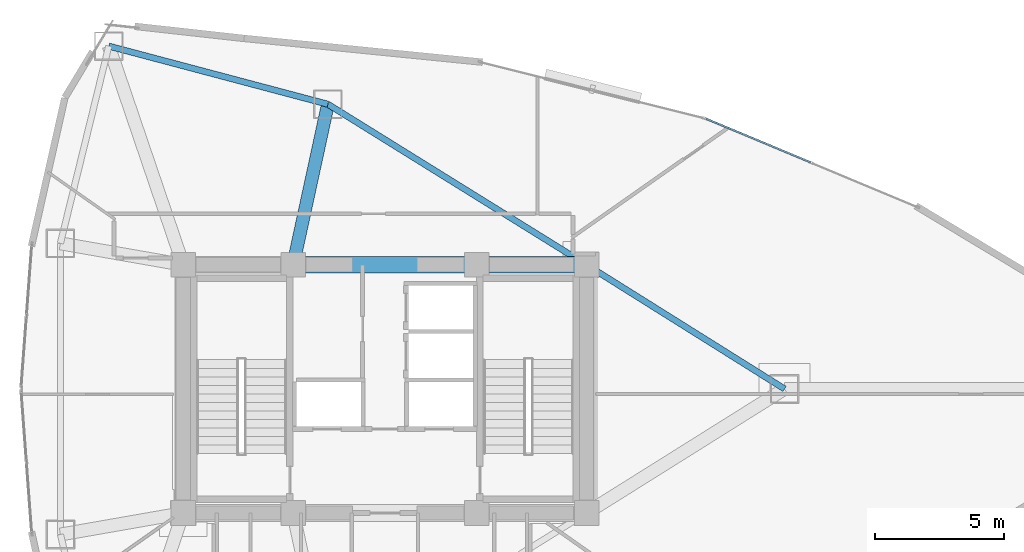
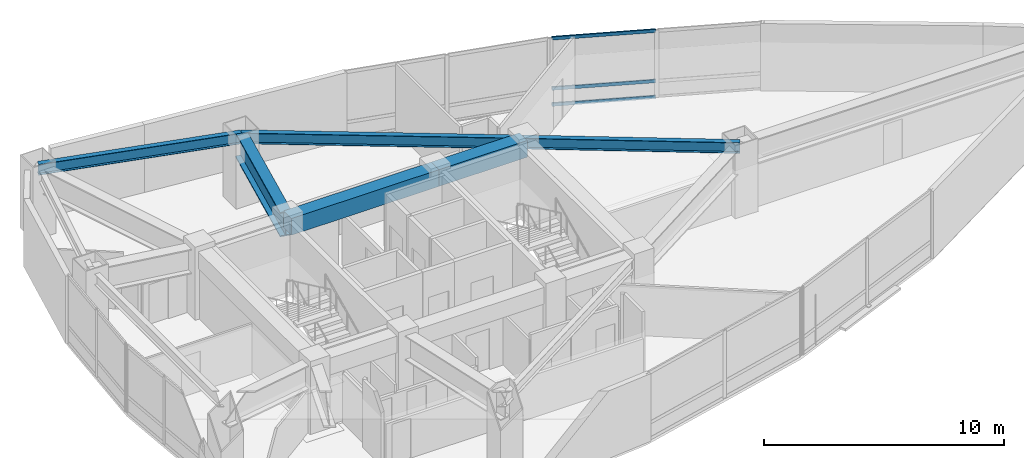
# One storey, part 8 of 18: 6 beams, 3 members, 1 element without a shape of its own.
"""IFC4 building model written with IfcOpenShell, lengths in metres."""

import ifcopenshell
import ifcopenshell.guid

model = None  # the IFC model being written
_history = None  # IfcOwnerHistory: only IFC2X3 demands one
_inside = {}  # id of a spatial element -> (the spatial element, [elements in it])
_under = {}  # id of a project, library or spatial element -> (it, [spatial elements below it])
_declared = {}  # id of a project -> (the project, [libraries it declares])
_typed = {}  # id of a type object -> (the type object, [elements of that type])
_made_of = {}  # id of a material, layer set ... -> (it, [elements and type objects made of it])


def new_model(schema):
    """Start an empty IFC model of exactly this schema.

    Asked for "IFC4X3", IfcOpenShell would pick the latest addendum, in which some entities
    have other attributes; the version numbers below select the first issue.
    IFC2X3 requires an IfcOwnerHistory on every rooted entity: one is made here for all.
    """
    global model, _history
    if schema == "IFC4X3":
        model = ifcopenshell.file(schema_version=(4, 3, 0, 0))
    else:
        model = ifcopenshell.file(schema=schema)
    _inside.clear()
    _under.clear()
    _declared.clear()
    _typed.clear()
    _made_of.clear()
    _history = None
    if model.schema == "IFC2X3":
        org = make("IfcOrganization", Name="unknown")
        user = make(
            "IfcPersonAndOrganization",
            ThePerson=make("IfcPerson", FamilyName="unknown"),
            TheOrganization=org,
        )
        app = make(
            "IfcApplication",
            ApplicationDeveloper=org,
            Version="unknown",
            ApplicationFullName="unknown",
            ApplicationIdentifier="unknown",
        )
        _history = make(
            "IfcOwnerHistory",
            OwningUser=user,
            OwningApplication=app,
            ChangeAction="ADDED",
            CreationDate=0,
        )
    return model


def make(cls, **values):
    """One entity of the class cls with the attributes given. An attribute that is None is left unset."""
    return model.create_entity(
        cls, **{name: value for name, value in values.items() if value is not None}
    )


def rooted(cls, **values):
    """An entity with a GlobalId (a new one), such as an element, a storey or a relation."""
    return make(cls, GlobalId=ifcopenshell.guid.new(), OwnerHistory=_history, **values)


def si_unit(unit_type, name, prefix=None):
    """IfcSIUnit, for example si_unit("LENGTHUNIT", "METRE", prefix="MILLI")."""
    return make("IfcSIUnit", UnitType=unit_type, Prefix=prefix, Name=name)


def assignment(units):
    """IfcUnitAssignment: the units of a project."""
    return None if units is None else make("IfcUnitAssignment", Units=units)


def point(xyz):
    """IfcCartesianPoint."""
    return None if xyz is None else make("IfcCartesianPoint", Coordinates=xyz)


def direction(xyz):
    """IfcDirection."""
    return None if xyz is None else make("IfcDirection", DirectionRatios=xyz)


def frame(location, z_axis=None, x_axis=None):
    """IfcAxis2Placement3D, a coordinate frame: its origin and axes. An axis left out is left unset."""
    return make(
        "IfcAxis2Placement3D",
        Location=point(location),
        Axis=direction(z_axis),
        RefDirection=direction(x_axis),
    )


def frame_2d(location, x_axis=None):
    """IfcAxis2Placement2D, a coordinate frame in the plane: its origin and x axis."""
    return make(
        "IfcAxis2Placement2D", Location=point(location), RefDirection=direction(x_axis)
    )


def origin():
    """The frame at (0, 0, 0) with its axes left unset."""
    return frame((0.0, 0.0, 0.0))


def origin_2d():
    """The frame at (0, 0) in the plane with its x axis left unset."""
    return frame_2d((0.0, 0.0))


def place(relative_to, where):
    """IfcLocalPlacement: puts the frame where relative to a parent placement (None: the world)."""
    return make(
        "IfcLocalPlacement", PlacementRelTo=relative_to, RelativePlacement=where
    )


def context(
    kind, dimensions, precision=None, world=None, true_north=None, identifier=None
):
    """IfcGeometricRepresentationContext, for example the 3D "Model" context."""
    return make(
        "IfcGeometricRepresentationContext",
        ContextIdentifier=identifier,
        ContextType=kind,
        CoordinateSpaceDimension=dimensions,
        Precision=precision,
        WorldCoordinateSystem=world,
        TrueNorth=true_north,
    )


def subcontext(parent, identifier, kind, view, scale=None):
    """IfcGeometricRepresentationSubContext, for example "Body" below "Model"."""
    return make(
        "IfcGeometricRepresentationSubContext",
        ContextIdentifier=identifier,
        ContextType=kind,
        ParentContext=parent,
        TargetScale=scale,
        TargetView=view,
    )


def project(units=None, contexts=None):
    """IfcProject with its units and contexts."""
    return rooted(
        "IfcProject",
        Name="project",
        RepresentationContexts=contexts,
        UnitsInContext=assignment(units),
    )


def spatial(cls, under=None, at=None, **own):
    """A site, building, storey or space (cls), placed at a placement, below another one or the project."""
    s = rooted(cls, ObjectPlacement=at, **own)
    if under is not None:
        _under.setdefault(under.id(), (under, []))[1].append(s)
    return s


def profile(cls, at=None, kind="AREA", **sizes):
    """A parametric profile (cls). Its sizes go by their IFC names, for example OverallWidth=200.0."""
    return make(cls, ProfileType=kind, Position=at, **sizes)


def rectangle(**sizes):
    """IfcRectangleProfileDef."""
    return profile("IfcRectangleProfileDef", **sizes)


def hollow_rectangle(**sizes):
    """IfcRectangleHollowProfileDef."""
    return profile("IfcRectangleHollowProfileDef", **sizes)


def i_section(**sizes):
    """IfcIShapeProfileDef."""
    return profile("IfcIShapeProfileDef", **sizes)


def extrude(swept, where, along, depth):
    """IfcExtrudedAreaSolid: the profile swept, set in the frame where, extruded along a direction by depth."""
    return make(
        "IfcExtrudedAreaSolid",
        SweptArea=swept,
        Position=where,
        ExtrudedDirection=direction(along),
        Depth=depth,
    )


def shape(context_of_items, identifier, shape_type, items):
    """IfcShapeRepresentation: the items that make up one representation, for example the "Body"."""
    return make(
        "IfcShapeRepresentation",
        ContextOfItems=context_of_items,
        RepresentationIdentifier=identifier,
        RepresentationType=shape_type,
        Items=items,
    )


def material(Name=None, Category=None):
    """IfcMaterial."""
    return make("IfcMaterial", Name=Name, Category=Category)


def layer(
    of_material, thickness, ventilated=None, Name=None, Category=None, Priority=None
):
    """IfcMaterialLayer: one layer of a wall or slab, of a material (None: an air gap)."""
    return make(
        "IfcMaterialLayer",
        Material=of_material,
        LayerThickness=thickness,
        IsVentilated=ventilated,
        Name=Name,
        Category=Category,
        Priority=Priority,
    )


def layer_set(layers, Name=None):
    """IfcMaterialLayerSet."""
    return make("IfcMaterialLayerSet", MaterialLayers=layers, LayerSetName=Name)


def material_profile(
    of_material, cross_section, Name=None, Category=None, Priority=None
):
    """IfcMaterialProfile: a cross section and its material."""
    return make(
        "IfcMaterialProfile",
        Name=Name,
        Material=of_material,
        Profile=cross_section,
        Priority=Priority,
        Category=Category,
    )


def profile_set(profiles, Name=None, composite=None):
    """IfcMaterialProfileSet."""
    return make(
        "IfcMaterialProfileSet",
        Name=Name,
        MaterialProfiles=profiles,
        CompositeProfile=composite,
    )


def made_of(thing, what):
    """Note that an element or type object is made of a material, layer set ...; save() writes the relation."""
    if what is not None:
        _made_of.setdefault(what.id(), (what, []))[1].append(thing)
    return thing


def type_object(cls, material=None, **own):
    """A type object (cls), such as IfcWallType, which elements share."""
    return made_of(rooted(cls, **own), material)


def element(
    cls,
    number,
    at=None,
    inside=None,
    cuts=None,
    type_object=None,
    material=None,
    context=None,
    identifier="Body",
    shape_type=None,
    held_by="IfcProductDefinitionShape",
    body=None,
    shapes=None,
    **own,
):
    """One element of the class cls, such as IfcWall. Its Tag is "e" and its number.

    at: its placement. inside: the storey or other place that contains it. cuts: it is an
    opening in that element (IfcRelVoidsElement). A single representation is given by context,
    identifier, shape_type and body (its items); several are given by shapes. held_by: the class
    of the entity that holds the representations. save() writes the other relations.
    """
    e = rooted(cls, Tag="e%d" % number, ObjectPlacement=at, **own)
    if body is not None:
        shapes = [shape(context, identifier, shape_type, body)]
    if shapes is not None:
        e.Representation = make(held_by, Representations=shapes)
    if inside is not None:
        _inside.setdefault(inside.id(), (inside, []))[1].append(e)
    if cuts is not None:
        rooted(
            "IfcRelVoidsElement", RelatingBuildingElement=cuts, RelatedOpeningElement=e
        )
    if type_object is not None:
        _typed.setdefault(type_object.id(), (type_object, []))[1].append(e)
    return made_of(e, material)


def aggregate(whole, parts):
    """IfcRelAggregates: a whole, such as a stair, and the parts it consists of."""
    return rooted("IfcRelAggregates", RelatingObject=whole, RelatedObjects=parts)


def save(model, path):
    """Write the relations noted so far, then the file.

    IfcRelAggregates (storeys below a building ...), IfcRelContainedInSpatialStructure (elements
    in a storey), IfcRelDefinesByType, IfcRelAssociatesMaterial and IfcRelDeclares: one each for
    every whole, place, type object, material and project.
    """
    for whole, parts in _under.values():
        aggregate(whole, parts)
    for where, things in _inside.values():
        rooted(
            "IfcRelContainedInSpatialStructure",
            RelatedElements=things,
            RelatingStructure=where,
        )
    for kind, things in _typed.values():
        rooted("IfcRelDefinesByType", RelatedObjects=things, RelatingType=kind)
    for what, things in _made_of.values():
        rooted("IfcRelAssociatesMaterial", RelatedObjects=things, RelatingMaterial=what)
    for by, libraries in _declared.values():
        rooted("IfcRelDeclares", RelatingContext=by, RelatedDefinitions=libraries)
    model.write(path)


model = new_model("IFC4")

# Units and contexts
model_context = context("Model", 3, precision=1e-05, world=origin(), true_north=direction((0.0, 1.0)))
body_context = subcontext(model_context, "Body", "Model", "MODEL_VIEW")
ifc_project = project(units=[si_unit("LENGTHUNIT", "METRE"), si_unit("AREAUNIT", "SQUARE_METRE"), si_unit("VOLUMEUNIT", "CUBIC_METRE"), si_unit("PLANEANGLEUNIT", "RADIAN"), si_unit("MASSUNIT", "GRAM", prefix="KILO")], contexts=[model_context])

# Site, building, storey
site_placement = place(None, origin())
site = spatial("IfcSite", under=ifc_project, at=site_placement, CompositionType="ELEMENT")
building_placement = place(site_placement, origin())
building = spatial("IfcBuilding", under=site, at=building_placement, Name="Menara Vayukalpa", CompositionType="ELEMENT")
storey_placement = place(building_placement, frame((0.0, 0.0, 169.199951171875)))
storey = spatial("IfcBuildingStorey", under=building, at=storey_placement, Name="L42", CompositionType="ELEMENT", Elevation=169.199951171875)

# Beams
ifc_material_1 = material(Name="Concrete C60/75", Category="concrete")
ifc_material_profile_1 = material_profile(ifc_material_1, rectangle(XDim=0.64990234375, YDim=0.85009765625, at=origin_2d()), Name="RC 650x850")
ifc_profile_set_1 = profile_set([ifc_material_profile_1], Name="Concrete C60/75")
beam_type_1 = type_object("IfcBeamType", Name="BM-CB1", PredefinedType="BEAM", material=ifc_profile_set_1)
beam_1_placement = place(storey_placement, frame((22.050048828125, 26.800048828125, 3.01513671875), z_axis=(1.0, 0.0, 0.0), x_axis=(0.0, 1.0, 0.0)))
element("IfcBeam", 1, at=beam_1_placement, inside=storey, type_object=beam_type_1, Name="L42 Core Tie Beam CBR5", PredefinedType="BEAM", context=body_context, shape_type="SweptSolid", body=[
    extrude(rectangle(XDim=0.64990234375, YDim=0.85009765625, at=origin_2d()), origin(), (0.0, 0.0, 1.0), 7.099853515625),
])
beam_2_placement = place(storey_placement, frame((29.14990234375, 26.800048828125, 3.01513671875), z_axis=(1.0, 0.0, 0.0), x_axis=(0.0, 1.0, 0.0)))
element("IfcBeam", 2, at=beam_2_placement, inside=storey, type_object=beam_type_1, Name="L42 Core Tie Beam CBR6", PredefinedType="BEAM", context=body_context, shape_type="SweptSolid", body=[
    extrude(rectangle(XDim=0.64990234375, YDim=0.85009765625, at=origin_2d()), origin(), (0.0, 0.0, 1.0), 4.25),
])
ifc_material_2 = material(Name="Steel S355", Category="steel")
ifc_material_profile_2 = material_profile(ifc_material_2, i_section(OverallWidth=0.239990234375, OverallDepth=0.550048828125, WebThickness=0.010986328125, FlangeThickness=0.01904296875, at=origin_2d()), Name="WF 550x240x11x19")
ifc_profile_set_2 = profile_set([ifc_material_profile_2], Name="Steel S355")
beam_type_2 = type_object("IfcBeamType", Name="BM-SP2", PredefinedType="SPANDREL", material=ifc_profile_set_2)
beam_3_placement = place(storey_placement, frame((41.05908203125, 22.0, 3.1650390625), z_axis=(-0.847348220701, 0.531037656739, 0.0), x_axis=(-0.531037656739, -0.847348220701, 0.0)))
element("IfcBeam", 3, at=beam_3_placement, inside=storey, type_object=beam_type_2, Name="L42 Perimeter Spandrel Beam SP01", PredefinedType="SPANDREL", context=body_context, shape_type="SweptSolid", body=[
    extrude(i_section(OverallWidth=0.239990234375, OverallDepth=0.550048828125, WebThickness=0.010986328125, FlangeThickness=0.01904296875, at=origin_2d()), origin(), (0.0, 0.0, 1.0), 9.0390625),
])
beam_4_placement = place(storey_placement, frame((33.39990234375, 26.800048828125, 3.1650390625), z_axis=(-0.849518408464, 0.527558976495, 0.0), x_axis=(-0.527558976495, -0.849518408464, 0.0)))
element("IfcBeam", 4, at=beam_4_placement, inside=storey, type_object=beam_type_2, Name="L42 Perimeter Spandrel Beam SP02", PredefinedType="SPANDREL", context=body_context, shape_type="SweptSolid", body=[
    extrude(i_section(OverallWidth=0.239990234375, OverallDepth=0.550048828125, WebThickness=0.010986328125, FlangeThickness=0.01904296875, at=origin_2d()), origin(), (0.0, 0.0, 1.0), 11.77490234375),
])
beam_5_placement = place(storey_placement, frame((23.39697265625, 33.011962890625, 3.1650390625), z_axis=(-0.96657141455, 0.256397544009, 0.0), x_axis=(-0.256397544009, -0.96657141455, 0.0)))
element("IfcBeam", 5, at=beam_5_placement, inside=storey, type_object=beam_type_2, Name="L42 Perimeter Spandrel Beam SP03", PredefinedType="SPANDREL", context=body_context, shape_type="SweptSolid", body=[
    extrude(i_section(OverallWidth=0.239990234375, OverallDepth=0.550048828125, WebThickness=0.010986328125, FlangeThickness=0.01904296875, at=origin_2d()), origin(), (0.0, 0.0, 1.0), 8.769775390625),
])
ifc_material_3 = material(Name="Steel S460", Category="steel")
ifc_material_profile_3 = material_profile(ifc_material_3, i_section(OverallWidth=0.5, OverallDepth=1.25, WebThickness=0.028076171875, FlangeThickness=0.054931640625, at=origin_2d()), Name="WG 1250x500x28x55")
ifc_profile_set_3 = profile_set([ifc_material_profile_3], Name="Steel S460")
beam_type_3 = type_object("IfcBeamType", Name="BM-TG2", PredefinedType="BEAM", material=ifc_profile_set_3)
beam_6_placement = place(storey_placement, frame((22.10302734375, 27.044189453125, 2.81494140625), z_axis=(0.211898459532, 0.9772916877, 0.0), x_axis=(-0.9772916877, 0.211898459532, 0.0)))
element("IfcBeam", 6, at=beam_6_placement, inside=storey, type_object=beam_type_3, Name="L42 Primary Radial Girder RG03", PredefinedType="BEAM", context=body_context, shape_type="SweptSolid", body=[
    extrude(i_section(OverallWidth=0.5, OverallDepth=1.25, WebThickness=0.028076171875, FlangeThickness=0.054931640625, at=origin_2d()), origin(), (0.0, 0.0, 1.0), 6.1064453125),
])

# Curtain wall, members
ifc_material_4 = material(Name="Anodised Terracotta Aluminium Alloy 6063-T6", Category="masonry")
ifc_layer = layer(ifc_material_4, 0.179931640625)
ifc_layer_set = layer_set([ifc_layer], Name="Anodised Terracotta Aluminium Alloy 6063-T6")
curtain_wall_type = type_object("IfcCurtainWallType", Name="CW-CW4", PredefinedType="USERDEFINED", material=ifc_layer_set)
curtain_wall_placement = place(storey_placement, origin())
curtain_wall = element("IfcCurtainWall", 7, at=curtain_wall_placement, inside=storey, type_object=curtain_wall_type, Name="L42 Sky Bar Cantilever Glazed Curtain Wall CW4 04", ObjectType="UNITISED", PredefinedType="USERDEFINED")
ifc_material_5 = material(Name="Anodised Terracotta Aluminium Alloy 6063-T6", Category="masonry")
ifc_material_profile_4 = material_profile(ifc_material_5, hollow_rectangle(XDim=0.070068359375, YDim=0.1650390625, WallThickness=0.00390625, at=origin_2d()), Name="ALU 70x165x4")
ifc_profile_set_4 = profile_set([ifc_material_profile_4], Name="Anodised Terracotta Aluminium Alloy 6063-T6")
member_type = type_object("IfcMemberType", Name="CWT-CW4", PredefinedType="USERDEFINED", material=ifc_profile_set_4)
member_1_placement = place(storey_placement, frame((42.063720703125, 30.765869140625, 0.03515625), z_axis=(-0.922868513183, 0.385115187152, 0.0), x_axis=(-0.385115187152, -0.922868513183, 0.0)))
member_1 = element("IfcMember", 8, at=member_1_placement, type_object=member_type, Name="CW4 transom 2.1", ObjectType="TRANSOM", PredefinedType="USERDEFINED", context=body_context, shape_type="SweptSolid", body=[
    extrude(hollow_rectangle(XDim=0.070068359375, YDim=0.1650390625, WallThickness=0.00390625, at=origin_2d()), origin(), (0.0, 0.0, 1.0), 4.369873046875),
])
member_2_placement = place(storey_placement, frame((42.063720703125, 30.765869140625, 0.85009765625), z_axis=(-0.922868513183, 0.385115187152, 0.0), x_axis=(-0.385115187152, -0.922868513183, 0.0)))
member_2 = element("IfcMember", 9, at=member_2_placement, type_object=member_type, Name="CW4 transom 2.2", ObjectType="TRANSOM", PredefinedType="USERDEFINED", context=body_context, shape_type="SweptSolid", body=[
    extrude(hollow_rectangle(XDim=0.070068359375, YDim=0.1650390625, WallThickness=0.00390625, at=origin_2d()), origin(), (0.0, 0.0, 1.0), 4.369873046875),
])
member_3_placement = place(storey_placement, frame((42.063720703125, 30.765869140625, 3.405029296875), z_axis=(-0.922868513183, 0.385115187152, 0.0), x_axis=(-0.385115187152, -0.922868513183, 0.0)))
member_3 = element("IfcMember", 10, at=member_3_placement, type_object=member_type, Name="CW4 transom 2.3", ObjectType="TRANSOM", PredefinedType="USERDEFINED", context=body_context, shape_type="SweptSolid", body=[
    extrude(hollow_rectangle(XDim=0.070068359375, YDim=0.1650390625, WallThickness=0.00390625, at=origin_2d()), origin(), (0.0, 0.0, 1.0), 4.369873046875),
])
aggregate(curtain_wall, [member_1, member_2, member_3])

save(model, "model.ifc")
